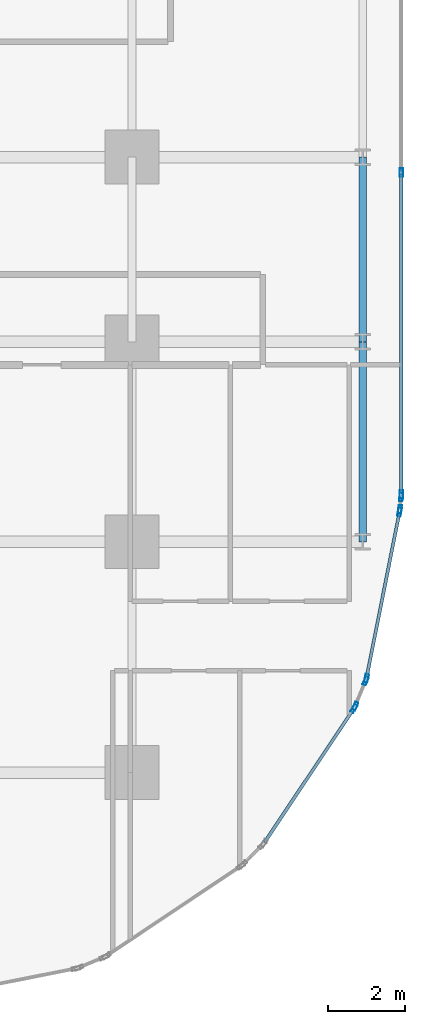
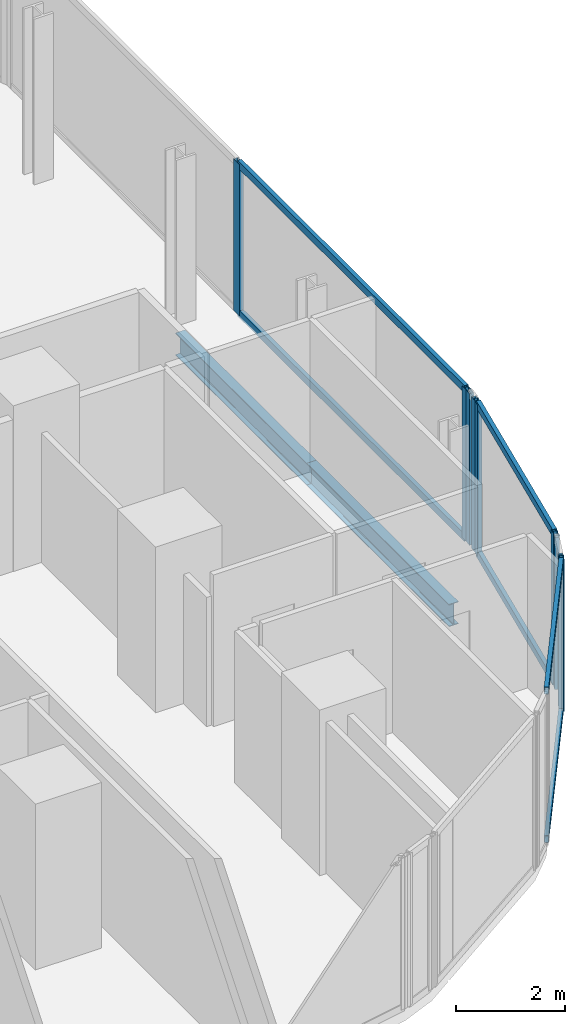
# One storey, part 18 of 33: 15 members, 2 beams, 5 elements without a shape of their own.
"""IFC4 building model written with IfcOpenShell, lengths in metres."""

from ifc_helpers import new_model, si_unit, direction, frame, origin, origin_2d, place, context, subcontext, project, spatial, hollow_rectangle, i_section, extrude, material, layer, layer_set, material_profile, profile_set, type_object, element, aggregate, save


model = new_model("IFC4")

# Units and contexts
model_context = context("Model", 3, precision=1e-05, world=origin(), true_north=direction((0.0, 1.0)))
body_context = subcontext(model_context, "Body", "Model", "MODEL_VIEW")
ifc_project = project(units=[si_unit("LENGTHUNIT", "METRE"), si_unit("AREAUNIT", "SQUARE_METRE"), si_unit("VOLUMEUNIT", "CUBIC_METRE"), si_unit("PLANEANGLEUNIT", "RADIAN"), si_unit("MASSUNIT", "GRAM", prefix="KILO")], contexts=[model_context])

# Site, building, storey
site_placement = place(None, origin())
site = spatial("IfcSite", under=ifc_project, at=site_placement, CompositionType="ELEMENT")
building_placement = place(site_placement, origin())
building = spatial("IfcBuilding", under=site, at=building_placement, Name="Keshet Zoharim Tower", CompositionType="ELEMENT")
storey_placement = place(building_placement, frame((0.0, 0.0, 42.5)))
storey = spatial("IfcBuildingStorey", under=building, at=storey_placement, Name="L09", CompositionType="ELEMENT", Elevation=42.5)

# Beams
ifc_material_1 = material(Name="Steel S355", Category="steel")
ifc_material_profile_1 = material_profile(ifc_material_1, i_section(OverallWidth=0.199951171875, OverallDepth=0.5, WebThickness=0.01025390625, FlangeThickness=0.01611328125, FilletRadius=0.02099609375, at=origin_2d()), Name="IPE500")
ifc_profile_set_1 = profile_set([ifc_material_profile_1], Name="Steel S355")
beam_type = type_object("IfcBeamType", Name="BM-PRI-IP500", PredefinedType="BEAM", material=ifc_profile_set_1)
beam_1_placement = place(storey_placement, frame((69.0, 12.699951171875, -0.56494140625), z_axis=(0.0, 1.0, 0.0), x_axis=(-1.0, 0.0, 0.0)))
element("IfcBeam", 1, at=beam_1_placement, inside=storey, type_object=beam_type, Name="L09 Primary Girder Y-023", PredefinedType="BEAM", context=body_context, shape_type="SweptSolid", body=[
    extrude(i_section(OverallWidth=0.199951171875, OverallDepth=0.5, WebThickness=0.01025390625, FlangeThickness=0.01611328125, FilletRadius=0.02099609375, at=origin_2d()), origin(), (0.0, 0.0, 1.0), 5.199951171875),
])
beam_2_placement = place(storey_placement, frame((69.0, 17.89990234375, -0.56494140625), z_axis=(0.0, 1.0, 0.0), x_axis=(-1.0, 0.0, 0.0)))
element("IfcBeam", 2, at=beam_2_placement, inside=storey, type_object=beam_type, Name="L09 Primary Girder Y-024", PredefinedType="BEAM", context=body_context, shape_type="SweptSolid", body=[
    extrude(i_section(OverallWidth=0.199951171875, OverallDepth=0.5, WebThickness=0.01025390625, FlangeThickness=0.01611328125, FilletRadius=0.02099609375, at=origin_2d()), origin(), (0.0, 0.0, 1.0), 4.800048828125),
])

# Curtain wall, members
ifc_material_2 = material(Name="Aluminium 6063-T6", Category="aluminium")
ifc_layer_1 = layer(ifc_material_2, 0.169921875)
ifc_layer_set_1 = layer_set([ifc_layer_1], Name="Aluminium 6063-T6")
curtain_wall_type_1 = type_object("IfcCurtainWallType", Name="CW-SYS-02", PredefinedType="NOTDEFINED", material=ifc_layer_set_1)
curtain_wall_1_placement = place(storey_placement, origin())
curtain_wall_1 = element("IfcCurtainWall", 3, at=curtain_wall_1_placement, inside=storey, type_object=curtain_wall_type_1, Name="L09 Unitised Curtain Wall 16", PredefinedType="NOTDEFINED")
ifc_material_profile_2 = material_profile(ifc_material_2, hollow_rectangle(XDim=0.090087890625, YDim=0.219970703125, WallThickness=0.0048828125, at=origin_2d()), Name="MUL-90x220")
ifc_profile_set_2 = profile_set([ifc_material_profile_2], Name="Aluminium 6063-T6")
member_type_1 = type_object("IfcMemberType", Name="CWM-M22", PredefinedType="MULLION", material=ifc_profile_set_2)
member_1_placement = place(storey_placement, frame((70.0, 22.298583984375, 0.0), z_axis=(0.0, 0.0, 1.0), x_axis=(1.0, 0.0, 0.0)))
member_1 = element("IfcMember", 4, at=member_1_placement, type_object=member_type_1, Name="CW-02 mullion 2", PredefinedType="MULLION", context=body_context, shape_type="SweptSolid", body=[
    extrude(hollow_rectangle(XDim=0.090087890625, YDim=0.219970703125, WallThickness=0.0048828125, at=origin_2d()), origin(), (0.0, 0.0, 1.0), 3.385009765625),
])
member_2_placement = place(storey_placement, frame((70.0, 13.931884765625, 0.0), z_axis=(0.0, 0.0, 1.0), x_axis=(1.0, 0.0, 0.0)))
member_2 = element("IfcMember", 5, at=member_2_placement, type_object=member_type_1, Name="CW-02 mullion 3", PredefinedType="MULLION", context=body_context, shape_type="SweptSolid", body=[
    extrude(hollow_rectangle(XDim=0.090087890625, YDim=0.219970703125, WallThickness=0.0048828125, at=origin_2d()), origin(), (0.0, 0.0, 1.0), 3.385009765625),
])

curtain_wall_2_placement = place(storey_placement, origin())
curtain_wall_2 = element("IfcCurtainWall", 6, at=curtain_wall_2_placement, inside=storey, type_object=curtain_wall_type_1, Name="L09 Unitised Curtain Wall 17", PredefinedType="NOTDEFINED")
member_3_placement = place(storey_placement, frame((69.99658203125, 13.862060546875, 0.0), z_axis=(0.0, 0.0, 1.0), x_axis=(0.995286657009, -0.096976648633, 0.0)))
member_3 = element("IfcMember", 7, at=member_3_placement, type_object=member_type_1, Name="CW-02 mullion 1", PredefinedType="MULLION", context=body_context, shape_type="SweptSolid", body=[
    extrude(hollow_rectangle(XDim=0.090087890625, YDim=0.219970703125, WallThickness=0.0048828125, at=origin_2d()), origin(), (0.0, 0.0, 1.0), 3.385009765625),
])
member_4_placement = place(storey_placement, frame((69.96533203125, 13.541748046875, 0.0), z_axis=(0.0, 0.0, 1.0), x_axis=(0.995286657009, -0.096976648633, 0.0)))
member_4 = element("IfcMember", 8, at=member_4_placement, type_object=member_type_1, Name="CW-02 mullion 2", PredefinedType="MULLION", context=body_context, shape_type="SweptSolid", body=[
    extrude(hollow_rectangle(XDim=0.090087890625, YDim=0.219970703125, WallThickness=0.0048828125, at=origin_2d()), origin(), (0.0, 0.0, 1.0), 3.385009765625),
])
aggregate(curtain_wall_2, [member_3, member_4])

curtain_wall_3_placement = place(storey_placement, origin())
curtain_wall_3 = element("IfcCurtainWall", 9, at=curtain_wall_3_placement, inside=storey, type_object=curtain_wall_type_1, Name="L09 Unitised Curtain Wall 18", PredefinedType="NOTDEFINED")
member_5_placement = place(storey_placement, frame((69.955078125, 13.47265625, 0.0), z_axis=(0.0, 0.0, 1.0), x_axis=(0.98076917357, -0.195171279072, 0.0)))
member_5 = element("IfcMember", 10, at=member_5_placement, type_object=member_type_1, Name="CW-02 mullion 1", PredefinedType="MULLION", context=body_context, shape_type="SweptSolid", body=[
    extrude(hollow_rectangle(XDim=0.090087890625, YDim=0.219970703125, WallThickness=0.0048828125, at=origin_2d()), origin(), (0.0, 0.0, 1.0), 3.385009765625),
])
member_6_placement = place(storey_placement, frame((69.0947265625, 9.1494140625, 0.0), z_axis=(0.0, 0.0, 1.0), x_axis=(0.98076917357, -0.195171279072, 0.0)))
member_6 = element("IfcMember", 11, at=member_6_placement, type_object=member_type_1, Name="CW-02 mullion 2", PredefinedType="MULLION", context=body_context, shape_type="SweptSolid", body=[
    extrude(hollow_rectangle(XDim=0.090087890625, YDim=0.219970703125, WallThickness=0.0048828125, at=origin_2d()), origin(), (0.0, 0.0, 1.0), 3.385009765625),
])

ifc_layer_2 = layer(ifc_material_2, 0.179931640625)
ifc_layer_set_2 = layer_set([ifc_layer_2], Name="Aluminium 6063-T6")
curtain_wall_type_2 = type_object("IfcCurtainWallType", Name="CW-SYS-01", PredefinedType="NOTDEFINED", material=ifc_layer_set_2)
curtain_wall_4_placement = place(storey_placement, origin())
curtain_wall_4 = element("IfcCurtainWall", 12, at=curtain_wall_4_placement, inside=storey, type_object=curtain_wall_type_2, Name="L09 Unitised Curtain Wall 19", PredefinedType="NOTDEFINED")
member_7_placement = place(storey_placement, frame((69.07470703125, 9.082763671875, 0.0), z_axis=(0.0, 0.0, 1.0), x_axis=(0.923720000557, -0.383068349739, 0.0)))
member_7 = element("IfcMember", 13, at=member_7_placement, type_object=member_type_1, Name="CW-01 mullion 1", PredefinedType="MULLION", context=body_context, shape_type="SweptSolid", body=[
    extrude(hollow_rectangle(XDim=0.090087890625, YDim=0.219970703125, WallThickness=0.0048828125, at=origin_2d()), origin(), (0.0, 0.0, 1.0), 3.385009765625),
])
member_8_placement = place(storey_placement, frame((68.802490234375, 8.42626953125, 0.0), z_axis=(0.0, 0.0, 1.0), x_axis=(0.923720000557, -0.383068349739, 0.0)))
member_8 = element("IfcMember", 14, at=member_8_placement, type_object=member_type_1, Name="CW-01 mullion 2", PredefinedType="MULLION", context=body_context, shape_type="SweptSolid", body=[
    extrude(hollow_rectangle(XDim=0.090087890625, YDim=0.219970703125, WallThickness=0.0048828125, at=origin_2d()), origin(), (0.0, 0.0, 1.0), 3.385009765625),
])
aggregate(curtain_wall_4, [member_7, member_8])

# Curtain wall, member
curtain_wall_5_placement = place(storey_placement, origin())
curtain_wall_5 = element("IfcCurtainWall", 15, at=curtain_wall_5_placement, inside=storey, type_object=curtain_wall_type_2, Name="L09 Unitised Curtain Wall 20", PredefinedType="NOTDEFINED")
member_9_placement = place(storey_placement, frame((68.76953125, 8.364990234375, 0.0), z_axis=(0.0, 0.0, 1.0), x_axis=(0.831474282335, -0.555563243758, 0.0)))
member_9 = element("IfcMember", 16, at=member_9_placement, type_object=member_type_1, Name="CW-01 mullion 1", PredefinedType="MULLION", context=body_context, shape_type="SweptSolid", body=[
    extrude(hollow_rectangle(XDim=0.090087890625, YDim=0.219970703125, WallThickness=0.0048828125, at=origin_2d()), origin(), (0.0, 0.0, 1.0), 3.385009765625),
])

# Member
ifc_material_profile_3 = material_profile(ifc_material_2, hollow_rectangle(XDim=0.0849609375, YDim=0.159912109375, WallThickness=0.00439453125, at=origin_2d()), Name="TRN-85x160")
ifc_profile_set_3 = profile_set([ifc_material_profile_3], Name="Aluminium 6063-T6")
member_type_2 = type_object("IfcMemberType", Name="CWT-T16", PredefinedType="USERDEFINED", material=ifc_profile_set_3)
member_10_placement = place(storey_placement, frame((70.0, 22.263427734375, 0.034912109375), z_axis=(0.0, -1.0, 0.0), x_axis=(1.0, 0.0, 0.0)))
member_10 = element("IfcMember", 17, at=member_10_placement, type_object=member_type_2, Name="CW-02 transom 2.1", ObjectType="TRANSOM", PredefinedType="USERDEFINED", context=body_context, shape_type="SweptSolid", body=[
    extrude(hollow_rectangle(XDim=0.0849609375, YDim=0.159912109375, WallThickness=0.00439453125, at=origin_2d()), origin(), (0.0, 0.0, 1.0), 8.29638671875),
])

member_11_placement = place(storey_placement, frame((70.0, 22.263427734375, 3.35009765625), z_axis=(0.0, -1.0, 0.0), x_axis=(1.0, 0.0, 0.0)))
member_11 = element("IfcMember", 18, at=member_11_placement, type_object=member_type_2, Name="CW-02 transom 2.2", ObjectType="TRANSOM", PredefinedType="USERDEFINED", context=body_context, shape_type="SweptSolid", body=[
    extrude(hollow_rectangle(XDim=0.0849609375, YDim=0.159912109375, WallThickness=0.00439453125, at=origin_2d()), origin(), (0.0, 0.0, 1.0), 8.29638671875),
])

aggregate(curtain_wall_1, [member_1, member_2, member_10, member_11])

member_12_placement = place(storey_placement, frame((69.9482421875, 13.438232421875, 0.034912109375), z_axis=(-0.195174459131, -0.980768540739, 0.0), x_axis=(0.980768540739, -0.195174459131, 0.0)))
member_12 = element("IfcMember", 19, at=member_12_placement, type_object=member_type_2, Name="CW-02 transom 1.1", ObjectType="TRANSOM", PredefinedType="USERDEFINED", context=body_context, shape_type="SweptSolid", body=[
    extrude(hollow_rectangle(XDim=0.0849609375, YDim=0.159912109375, WallThickness=0.00439453125, at=origin_2d()), origin(), (0.0, 0.0, 1.0), 4.338134765625),
])

member_13_placement = place(storey_placement, frame((69.9482421875, 13.438232421875, 3.35009765625), z_axis=(-0.195174459131, -0.980768540739, 0.0), x_axis=(0.980768540739, -0.195174459131, 0.0)))
member_13 = element("IfcMember", 20, at=member_13_placement, type_object=member_type_2, Name="CW-02 transom 1.2", ObjectType="TRANSOM", PredefinedType="USERDEFINED", context=body_context, shape_type="SweptSolid", body=[
    extrude(hollow_rectangle(XDim=0.0849609375, YDim=0.159912109375, WallThickness=0.00439453125, at=origin_2d()), origin(), (0.0, 0.0, 1.0), 4.338134765625),
])

aggregate(curtain_wall_3, [member_5, member_6, member_12, member_13])

member_14_placement = place(storey_placement, frame((68.75, 8.335693359375, 0.034912109375), z_axis=(-0.55555796544, -0.831477809106, 0.0), x_axis=(0.831477809106, -0.55555796544, 0.0)))
member_14 = element("IfcMember", 21, at=member_14_placement, type_object=member_type_2, Name="CW-01 transom 1.1", ObjectType="TRANSOM", PredefinedType="USERDEFINED", context=body_context, shape_type="SweptSolid", body=[
    extrude(hollow_rectangle(XDim=0.0849609375, YDim=0.159912109375, WallThickness=0.00439453125, at=origin_2d()), origin(), (0.0, 0.0, 1.0), 4.136474609375),
])

member_15_placement = place(storey_placement, frame((68.75, 8.335693359375, 3.35009765625), z_axis=(-0.55555796544, -0.831477809106, 0.0), x_axis=(0.831477809106, -0.55555796544, 0.0)))
member_15 = element("IfcMember", 22, at=member_15_placement, type_object=member_type_2, Name="CW-01 transom 1.2", ObjectType="TRANSOM", PredefinedType="USERDEFINED", context=body_context, shape_type="SweptSolid", body=[
    extrude(hollow_rectangle(XDim=0.0849609375, YDim=0.159912109375, WallThickness=0.00439453125, at=origin_2d()), origin(), (0.0, 0.0, 1.0), 4.136474609375),
])

aggregate(curtain_wall_5, [member_9, member_14, member_15])

save(model, "model.ifc")
